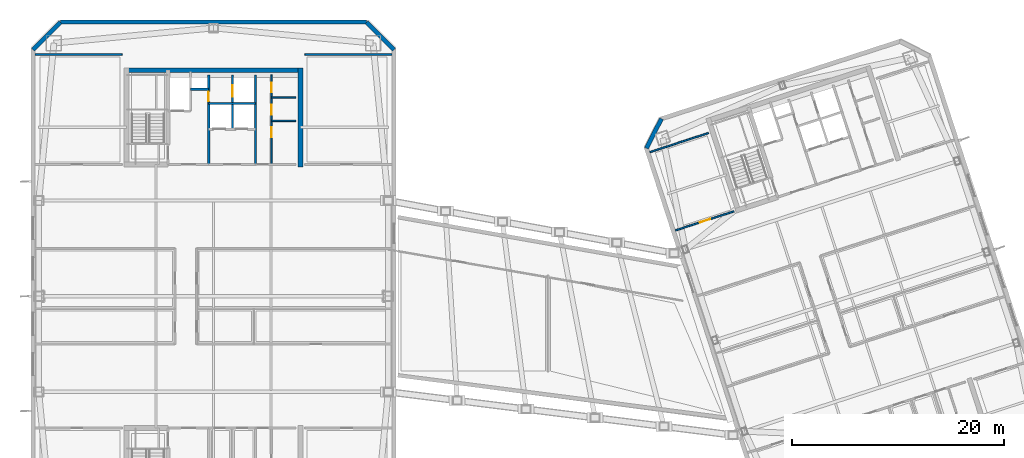
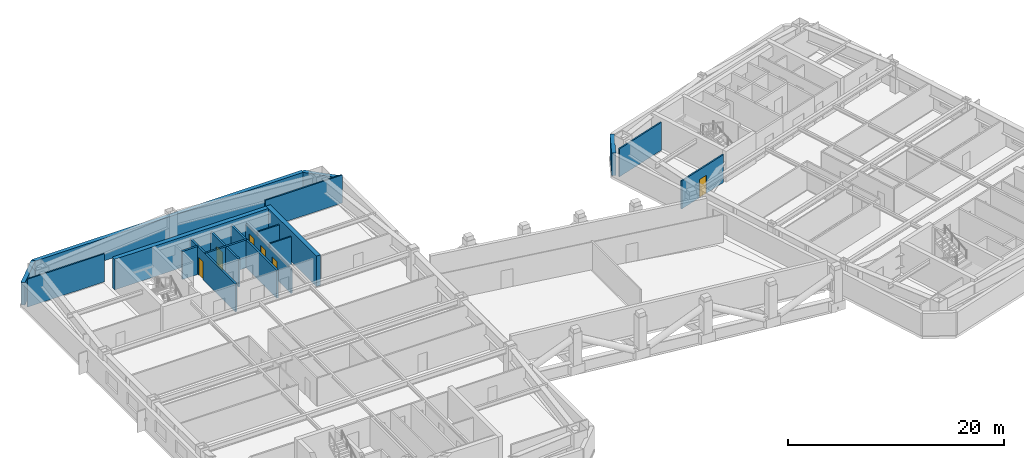
# One storey, part 8 of 19: 18 walls, 6 doors, 6 openings.
"""IFC4 building model written with IfcOpenShell, lengths in metres."""

from ifc_helpers import new_model, si_unit, direction, frame, frame_2d, origin, place, context, subcontext, project, spatial, rectangle, extrude, material, layer, layer_set, type_object, element, fill, save


model = new_model("IFC4")

# Units and contexts
model_context = context("Model", 3, precision=1e-05, world=origin(), true_north=direction((0.0, 1.0)))
body_context = subcontext(model_context, "Body", "Model", "MODEL_VIEW")
ifc_project = project(units=[si_unit("LENGTHUNIT", "METRE"), si_unit("AREAUNIT", "SQUARE_METRE"), si_unit("VOLUMEUNIT", "CUBIC_METRE"), si_unit("PLANEANGLEUNIT", "RADIAN"), si_unit("MASSUNIT", "GRAM", prefix="KILO")], contexts=[model_context])

# Site, building, storey
site_placement = place(None, origin())
site = spatial("IfcSite", under=ifc_project, at=site_placement, CompositionType="ELEMENT")
building_placement = place(site_placement, origin())
building = spatial("IfcBuilding", under=site, at=building_placement, Name="Qiaolan Cultural Towers", CompositionType="ELEMENT")
storey_placement = place(building_placement, frame((0.0, 0.0, 216.199951171875)))
storey = spatial("IfcBuildingStorey", under=building, at=storey_placement, Name="L58", CompositionType="ELEMENT", Elevation=216.199951171875)

# Walls
ifc_material_1 = material(Name="Concrete C50", Category="concrete")
ifc_layer_1 = layer(ifc_material_1, 0.449951171875)
ifc_layer_set_1 = layer_set([ifc_layer_1], Name="Concrete C50")
wall_type_1 = type_object("IfcWallType", Name="WL-CORE-450", PredefinedType="SHEAR", material=ifc_layer_set_1)
wall_1_placement = place(storey_placement, frame((21.574951171875, 55.280029296875, 0.0), z_axis=(0.0, 0.0, 1.0), x_axis=(1.0, 0.0, 0.0)))
element("IfcWall", 1, at=wall_1_placement, inside=storey, type_object=wall_type_1, Name="L58 T1-CN Outer Core Shear Wall", PredefinedType="SHEAR", context=body_context, shape_type="SweptSolid", body=[
    extrude(rectangle(XDim=16.85009765625, YDim=0.449951171875, at=frame_2d((8.425048828125, 0.0))), origin(), (0.0, 0.0, 1.0), 3.449951171875),
])
wall_2_placement = place(storey_placement, frame((38.199951171875, 46.175048828125, 0.0), z_axis=(0.0, 0.0, 1.0), x_axis=(0.0, 1.0, 0.0)))
element("IfcWall", 2, at=wall_2_placement, inside=storey, type_object=wall_type_1, Name="L58 T1-CN East Core Shear Wall", PredefinedType="SHEAR", context=body_context, shape_type="SweptSolid", body=[
    extrude(rectangle(XDim=9.329833984375, YDim=0.449951171875, at=frame_2d((4.6650390625, 0.0))), origin(), (0.0, 0.0, 1.0), 3.449951171875),
])
ifc_material_2 = material(Name="Precast Concrete C50 Honed Stone Pier", Category="masonry")
ifc_layer_2 = layer(ifc_material_2, 0.39990234375)
ifc_layer_set_2 = layer_set([ifc_layer_2], Name="Precast Concrete C50 Honed Stone Pier")
wall_type_2 = type_object("IfcWallType", Name="WL-EXT-PIER-400", PredefinedType="SOLIDWALL", material=ifc_layer_set_2)
wall_3_placement = place(storey_placement, frame((13.0, 57.199951171875, 0.0), z_axis=(0.0, 0.0, 1.0), x_axis=(0.707106781187, 0.707106781187, 0.0)))
element("IfcWall", 3, at=wall_3_placement, inside=storey, type_object=wall_type_2, Name="L58 West Tower Precast Pier Facade Wall F2", PredefinedType="SOLIDWALL", context=body_context, shape_type="SweptSolid", body=[
    extrude(rectangle(XDim=3.677001953125, YDim=0.39990234375, at=frame_2d((1.83837890625, 0.0))), origin(), (0.0, 0.0, 1.0), 2.550048828125),
])
wall_4_placement = place(storey_placement, frame((15.60009765625, 59.800048828125, 0.0), z_axis=(0.0, 0.0, 1.0), x_axis=(1.0, 0.0, 0.0)))
element("IfcWall", 4, at=wall_4_placement, inside=storey, type_object=wall_type_2, Name="L58 West Tower Precast Pier Facade Wall F3", PredefinedType="SOLIDWALL", context=body_context, shape_type="SweptSolid", body=[
    extrude(rectangle(XDim=28.7998046875, YDim=0.39990234375, at=frame_2d((14.39990234375, 0.0))), origin(), (0.0, 0.0, 1.0), 2.550048828125),
])
wall_5_placement = place(storey_placement, frame((44.39990234375, 59.800048828125, 0.0), z_axis=(0.0, 0.0, 1.0), x_axis=(0.707106781187, -0.707106781187, 0.0)))
element("IfcWall", 5, at=wall_5_placement, inside=storey, type_object=wall_type_2, Name="L58 West Tower Precast Pier Facade Wall F4", PredefinedType="SOLIDWALL", context=body_context, shape_type="SweptSolid", body=[
    extrude(rectangle(XDim=3.677001953125, YDim=0.39990234375, at=frame_2d((1.83837890625, 0.0))), origin(), (0.0, 0.0, 1.0), 2.550048828125),
])
wall_6_placement = place(storey_placement, frame((70.752197265625, 47.93408203125, 0.0), z_axis=(0.0, 0.0, 1.0), x_axis=(0.453949291228, 0.891027519774, 0.0)))
element("IfcWall", 6, at=wall_6_placement, inside=storey, type_object=wall_type_2, Name="L58 East Tower Precast Pier Facade Wall F2", PredefinedType="SOLIDWALL", context=body_context, shape_type="SweptSolid", body=[
    extrude(rectangle(XDim=3.111328125, YDim=0.39990234375, at=frame_2d((1.5556640625, 0.0))), origin(), (0.0, 0.0, 1.0), 2.550048828125),
])

# Wall, opening, door
ifc_material_3 = material(Name="Concrete C35 Fire Wall", Category="concrete")
ifc_layer_3 = layer(ifc_material_3, 0.199951171875)
ifc_layer_set_3 = layer_set([ifc_layer_3], Name="Concrete C35 Fire Wall")
wall_type_3 = type_object("IfcWallType", Name="WL-FIRE-200", PredefinedType="PARTITIONING", material=ifc_layer_set_3)
wall_7_placement = place(storey_placement, frame((29.550048828125, 46.39990234375, 0.0), z_axis=(0.0, 0.0, 1.0), x_axis=(0.0, 1.0, 0.0)))
wall_7 = element("IfcWall", 7, at=wall_7_placement, inside=storey, type_object=wall_type_3, Name="L58 T1-CN Firefighting Zone Wall", PredefinedType="PARTITIONING", context=body_context, shape_type="SweptSolid", body=[
    extrude(rectangle(XDim=8.43017578125, YDim=0.199951171875, at=frame_2d((4.215087890625, 0.0))), origin(), (0.0, 0.0, 1.0), 3.155029296875),
])
opening_1_placement = place(wall_7_placement, frame((5.949951171875, 0.0, 0.0)))
opening_1 = element("IfcOpeningElement", 8, at=opening_1_placement, cuts=wall_7, Name="Opening ID-06", PredefinedType="OPENING", context=body_context, shape_type="SweptSolid", body=[
    extrude(rectangle(XDim=0.89990234375, YDim=2.050048828125, at=frame_2d((0.449951171875, 1.02490234375))), frame((0.0, 0.10986328125, 0.0), z_axis=(0.0, -1.0, 0.0), x_axis=(1.0, 0.0, 0.0)), (0.0, 0.0, 1.0), 0.219970703125),
])
ifc_material_4 = material(Name="Fire-Rated Laminate Core Service Door", Category="timber")
door_type_1 = type_object("IfcDoorType", Name="DR-INT-900", OperationType="NOTDEFINED", PredefinedType="DOOR", material=ifc_material_4)
door_1_placement = place(opening_1_placement, origin())
door_1 = element("IfcDoor", 9, at=door_1_placement, inside=storey, type_object=door_type_1, Name="L58 Sky Shuttle Transfer Lobby Door", OperationType="SINGLE_SWING_LEFT", OverallHeight=2.050048828125, OverallWidth=0.89990234375, PredefinedType="DOOR", context=body_context, shape_type="SweptSolid", body=[
    extrude(rectangle(XDim=0.89990234375, YDim=2.050048828125, at=frame_2d((0.449951171875, 1.02490234375))), frame((0.0, 0.02490234375, 0.0), z_axis=(0.0, -1.0, 0.0), x_axis=(1.0, 0.0, 0.0)), (0.0, 0.0, 1.0), 0.050048828125),
])
fill(opening_1, door_1)

# Walls
wall_8_placement = place(storey_placement, frame((27.820068359375, 53.47998046875, 0.0), z_axis=(0.0, 0.0, 1.0), x_axis=(1.0, 0.0, 0.0)))
element("IfcWall", 10, at=wall_8_placement, inside=storey, type_object=wall_type_3, Name="L58 T1-CN Pressurization Shaft Front Wall", PredefinedType="PARTITIONING", context=body_context, shape_type="SweptSolid", body=[
    extrude(rectangle(XDim=1.72998046875, YDim=0.199951171875, at=frame_2d((0.864990234375, 0.0))), origin(), (0.0, 0.0, 1.0), 3.155029296875),
])
wall_9_placement = place(storey_placement, frame((33.949951171875, 46.39990234375, 0.0), z_axis=(0.0, 0.0, 1.0), x_axis=(0.0, 1.0, 0.0)))
element("IfcWall", 11, at=wall_9_placement, inside=storey, type_object=wall_type_3, Name="L58 T1-CN Lift Core East Wall", PredefinedType="PARTITIONING", context=body_context, shape_type="SweptSolid", body=[
    extrude(rectangle(XDim=8.43017578125, YDim=0.199951171875, at=frame_2d((4.215087890625, 0.0))), origin(), (0.0, 0.0, 1.0), 3.155029296875),
])

# Wall, opening, door
wall_10_placement = place(storey_placement, frame((31.780029296875, 49.719970703125, 0.0), z_axis=(0.0, 0.0, 1.0), x_axis=(0.0, 1.0, 0.0)))
wall_10 = element("IfcWall", 12, at=wall_10_placement, inside=storey, type_object=wall_type_3, Name="L58 T1-CN Lift Shaft Divider Wall", PredefinedType="PARTITIONING", context=body_context, shape_type="SweptSolid", body=[
    extrude(rectangle(XDim=5.110107421875, YDim=0.199951171875, at=frame_2d((2.55517578125, 0.0))), origin(), (0.0, 0.0, 1.0), 3.155029296875),
])
opening_2_placement = place(wall_10_placement, frame((3.050048828125, 0.0, 0.0)))
opening_2 = element("IfcOpeningElement", 13, at=opening_2_placement, cuts=wall_10, Name="Opening LD-01", PredefinedType="OPENING", context=body_context, shape_type="SweptSolid", body=[
    extrude(rectangle(XDim=1.10009765625, YDim=2.050048828125, at=frame_2d((0.550048828125, 1.02490234375))), frame((0.0, 0.10986328125, 0.0), z_axis=(0.0, -1.0, 0.0), x_axis=(1.0, 0.0, 0.0)), (0.0, 0.0, 1.0), 0.219970703125),
])
ifc_material_5 = material(Name="Brushed Stainless Steel S30408 Centre-Parting Lift Landing Door", Category="steel")
door_type_2 = type_object("IfcDoorType", Name="DR-LIFT-1100", OperationType="NOTDEFINED", PredefinedType="DOOR", material=ifc_material_5)
door_2_placement = place(opening_2_placement, origin())
door_2 = element("IfcDoor", 14, at=door_2_placement, inside=storey, type_object=door_type_2, Name="L58 Sky Shuttle Lift Transfer Landing Door", OperationType="DOUBLE_DOOR_SLIDING", OverallHeight=2.050048828125, OverallWidth=1.10009765625, PredefinedType="DOOR", context=body_context, shape_type="SweptSolid", body=[
    extrude(rectangle(XDim=1.10009765625, YDim=2.050048828125, at=frame_2d((0.550048828125, 1.02490234375))), frame((0.0, 0.02490234375, 0.0), z_axis=(0.0, -1.0, 0.0), x_axis=(1.0, 0.0, 0.0)), (0.0, 0.0, 1.0), 0.050048828125),
])
fill(opening_2, door_2)

# Wall
wall_11_placement = place(storey_placement, frame((29.550048828125, 52.14990234375, 0.0), z_axis=(0.0, 0.0, 1.0), x_axis=(1.0, 0.0, 0.0)))
element("IfcWall", 15, at=wall_11_placement, inside=storey, type_object=wall_type_3, Name="L58 T1-CN Passenger Lift Shaft Back Wall", PredefinedType="PARTITIONING", context=body_context, shape_type="SweptSolid", body=[
    extrude(rectangle(XDim=4.39990234375, YDim=0.199951171875, at=frame_2d((2.199951171875, 0.0))), origin(), (0.0, 0.0, 1.0), 3.155029296875),
])

# Wall, openings, doors
ifc_material_6 = material(Name="Autoclaved Aerated Concrete Block B06", Category="concrete")
ifc_layer_4 = layer(ifc_material_6, 0.14990234375)
ifc_layer_set_4 = layer_set([ifc_layer_4], Name="Autoclaved Aerated Concrete Block B06")
wall_type_4 = type_object("IfcWallType", Name="WL-PART-150", PredefinedType="PARTITIONING", material=ifc_layer_set_4)
wall_12_placement = place(storey_placement, frame((35.449951171875, 46.39990234375, 0.0), z_axis=(0.0, 0.0, 1.0), x_axis=(0.0, 1.0, 0.0)))
wall_12 = element("IfcWall", 16, at=wall_12_placement, inside=storey, type_object=wall_type_4, Name="L58 T1-CN Sanitary Vestibule Wall", PredefinedType="PARTITIONING", context=body_context, shape_type="SweptSolid", body=[
    extrude(rectangle(XDim=8.43017578125, YDim=0.14990234375, at=frame_2d((4.215087890625, 0.0))), origin(), (0.0, 0.0, 1.0), 2.7451171875),
])
opening_3_placement = place(wall_12_placement, frame((2.550048828125, 0.0, 0.0)))
opening_3 = element("IfcOpeningElement", 17, at=opening_3_placement, cuts=wall_12, Name="Opening ID-05", PredefinedType="OPENING", context=body_context, shape_type="SweptSolid", body=[
    extrude(rectangle(XDim=0.949951171875, YDim=2.050048828125, at=frame_2d((0.47509765625, 1.02490234375))), frame((0.0, 0.0849609375, 0.0), z_axis=(0.0, -1.0, 0.0), x_axis=(1.0, 0.0, 0.0)), (0.0, 0.0, 1.0), 0.169921875),
])
opening_4_placement = place(wall_12_placement, frame((4.699951171875, 0.0, 0.0)))
opening_4 = element("IfcOpeningElement", 18, at=opening_4_placement, cuts=wall_12, Name="Opening ID-06", PredefinedType="OPENING", context=body_context, shape_type="SweptSolid", body=[
    extrude(rectangle(XDim=0.89990234375, YDim=2.050048828125, at=frame_2d((0.449951171875, 1.02490234375))), frame((0.0, 0.0849609375, 0.0), z_axis=(0.0, -1.0, 0.0), x_axis=(1.0, 0.0, 0.0)), (0.0, 0.0, 1.0), 0.169921875),
])
opening_5_placement = place(wall_12_placement, frame((6.800048828125, 0.0, 0.0)))
opening_5 = element("IfcOpeningElement", 19, at=opening_5_placement, cuts=wall_12, Name="Opening ID-06", PredefinedType="OPENING", context=body_context, shape_type="SweptSolid", body=[
    extrude(rectangle(XDim=0.89990234375, YDim=2.050048828125, at=frame_2d((0.449951171875, 1.02490234375))), frame((0.0, 0.0849609375, 0.0), z_axis=(0.0, -1.0, 0.0), x_axis=(1.0, 0.0, 0.0)), (0.0, 0.0, 1.0), 0.169921875),
])
door_3_placement = place(opening_4_placement, origin())
door_3 = element("IfcDoor", 20, at=door_3_placement, inside=storey, type_object=door_type_1, Name="L58 Men Washroom Door", OperationType="SINGLE_SWING_LEFT", OverallHeight=2.050048828125, OverallWidth=0.89990234375, PredefinedType="DOOR", context=body_context, shape_type="SweptSolid", body=[
    extrude(rectangle(XDim=0.89990234375, YDim=2.050048828125, at=frame_2d((0.449951171875, 1.02490234375))), frame((0.0, 0.02490234375, 0.0), z_axis=(0.0, -1.0, 0.0), x_axis=(1.0, 0.0, 0.0)), (0.0, 0.0, 1.0), 0.050048828125),
])
fill(opening_4, door_3)
door_4_placement = place(opening_5_placement, origin())
door_4 = element("IfcDoor", 21, at=door_4_placement, inside=storey, type_object=door_type_1, Name="L58 Women Washroom Door", OperationType="SINGLE_SWING_RIGHT", OverallHeight=2.050048828125, OverallWidth=0.89990234375, PredefinedType="DOOR", context=body_context, shape_type="SweptSolid", body=[
    extrude(rectangle(XDim=0.89990234375, YDim=2.050048828125, at=frame_2d((0.449951171875, 1.02490234375))), frame((0.0, 0.02490234375, 0.0), z_axis=(0.0, -1.0, 0.0), x_axis=(1.0, 0.0, 0.0)), (0.0, 0.0, 1.0), 0.050048828125),
])
fill(opening_5, door_4)
ifc_material_7 = material(Name="Fire-Rated Laminate Accessible Core Door", Category="timber")
door_type_3 = type_object("IfcDoorType", Name="DR-INT-950", OperationType="NOTDEFINED", PredefinedType="DOOR", material=ifc_material_7)
door_5_placement = place(opening_3_placement, origin())
door_5 = element("IfcDoor", 22, at=door_5_placement, inside=storey, type_object=door_type_3, Name="L58 Accessible Family Washroom Door", OperationType="SINGLE_SWING_LEFT", OverallHeight=2.050048828125, OverallWidth=0.949951171875, PredefinedType="DOOR", context=body_context, shape_type="SweptSolid", body=[
    extrude(rectangle(XDim=0.949951171875, YDim=2.050048828125, at=frame_2d((0.47509765625, 1.02490234375))), frame((0.0, 0.02490234375, 0.0), z_axis=(0.0, -1.0, 0.0), x_axis=(1.0, 0.0, 0.0)), (0.0, 0.0, 1.0), 0.050048828125),
])
fill(opening_3, door_5)

# Walls
for number, where, z_axis, x_axis, name in (
    (23, (35.449951171875, 50.5, 0.0), (0.0, 0.0, 1.0), (1.0, 0.0, 0.0), "L58 T1-CN Restroom Split Wall 1"),
    (24, (35.449951171875, 52.699951171875, 0.0), (0.0, 0.0, 1.0), (1.0, 0.0, 0.0), "L58 T1-CN Restroom Split Wall 2"),
):
    element("IfcWall", number, at=place(storey_placement, frame(where, z_axis=z_axis, x_axis=x_axis)), inside=storey, type_object=wall_type_4, Name=name, PredefinedType="PARTITIONING", context=body_context, shape_type="SweptSolid", body=[
        extrude(rectangle(XDim=2.300048828125, YDim=0.14990234375, at=frame_2d((1.14990234375, 0.0))), origin(), (0.0, 0.0, 1.0), 3.155029296875),
    ])
for number, where, z_axis, x_axis, name in (
    (25, (13.199951171875, 56.75, 0.0), (0.0, 0.0, 1.0), (1.0, 0.0, 0.0), "L58 T1 Flank Wall FLK-NW"),
    (26, (38.60009765625, 56.75, 0.0), (0.0, 0.0, 1.0), (1.0, 0.0, 0.0), "L58 T1 Flank Wall FLK-NE"),
):
    element("IfcWall", number, at=place(storey_placement, frame(where, z_axis=z_axis, x_axis=x_axis)), inside=storey, type_object=wall_type_4, Name=name, PredefinedType="PARTITIONING", context=body_context, shape_type="SweptSolid", body=[
        extrude(rectangle(XDim=8.199951171875, YDim=0.14990234375, at=frame_2d((4.10009765625, 0.0))), origin(), (0.0, 0.0, 1.0), 3.155029296875),
    ])
wall_13_placement = place(storey_placement, frame((71.081298828125, 47.56787109375, 0.0), z_axis=(0.0, 0.0, 1.0), x_axis=(0.951059431056, 0.309008023519, 0.0)))
element("IfcWall", 27, at=wall_13_placement, inside=storey, type_object=wall_type_4, Name="L58 T2 Flank Wall FLK-NW", PredefinedType="PARTITIONING", context=body_context, shape_type="SweptSolid", body=[
    extrude(rectangle(XDim=5.800048828125, YDim=0.14990234375, at=frame_2d((2.89990234375, 0.0))), origin(), (0.0, 0.0, 1.0), 3.155029296875),
])

# Wall, opening, door
wall_14_placement = place(storey_placement, frame((73.476318359375, 40.197265625, 0.0), z_axis=(0.0, 0.0, 1.0), x_axis=(0.951059431056, 0.309008023519, 0.0)))
wall_14 = element("IfcWall", 28, at=wall_14_placement, inside=storey, type_object=wall_type_4, Name="L58 T2 Flank Front FLK-NW", PredefinedType="PARTITIONING", context=body_context, shape_type="SweptSolid", body=[
    extrude(rectangle(XDim=5.800048828125, YDim=0.14990234375, at=frame_2d((2.89990234375, 0.0))), origin(), (0.0, 0.0, 1.0), 3.155029296875),
])
opening_6_placement = place(wall_14_placement, frame((2.43603515625, 0.0, 0.0)))
opening_6 = element("IfcOpeningElement", 29, at=opening_6_placement, cuts=wall_14, Name="Opening ID-04", PredefinedType="OPENING", context=body_context, shape_type="SweptSolid", body=[
    extrude(rectangle(XDim=1.0, YDim=2.050048828125, at=frame_2d((0.5, 1.02490234375))), frame((0.0, 0.0849609375, 0.0), z_axis=(0.0, -1.0, 0.0), x_axis=(1.0, 0.0, 0.0)), (0.0, 0.0, 1.0), 0.169921875),
])
ifc_material_8 = material(Name="Oak Veneer Acoustic Office Door", Category="timber")
door_type_4 = type_object("IfcDoorType", Name="DR-INT-1000", OperationType="NOTDEFINED", PredefinedType="DOOR", material=ifc_material_8)
door_6_placement = place(opening_6_placement, origin())
door_6 = element("IfcDoor", 30, at=door_6_placement, inside=storey, type_object=door_type_4, Name="L58 T2 Corner Studio Door", OperationType="SINGLE_SWING_LEFT", OverallHeight=2.050048828125, OverallWidth=1.0, PredefinedType="DOOR", context=body_context, shape_type="SweptSolid", body=[
    extrude(rectangle(XDim=1.0, YDim=2.050048828125, at=frame_2d((0.5, 1.02490234375))), frame((0.0, 0.02490234375, 0.0), z_axis=(0.0, -1.0, 0.0), x_axis=(1.0, 0.0, 0.0)), (0.0, 0.0, 1.0), 0.050048828125),
])
fill(opening_6, door_6)

save(model, "model.ifc")
